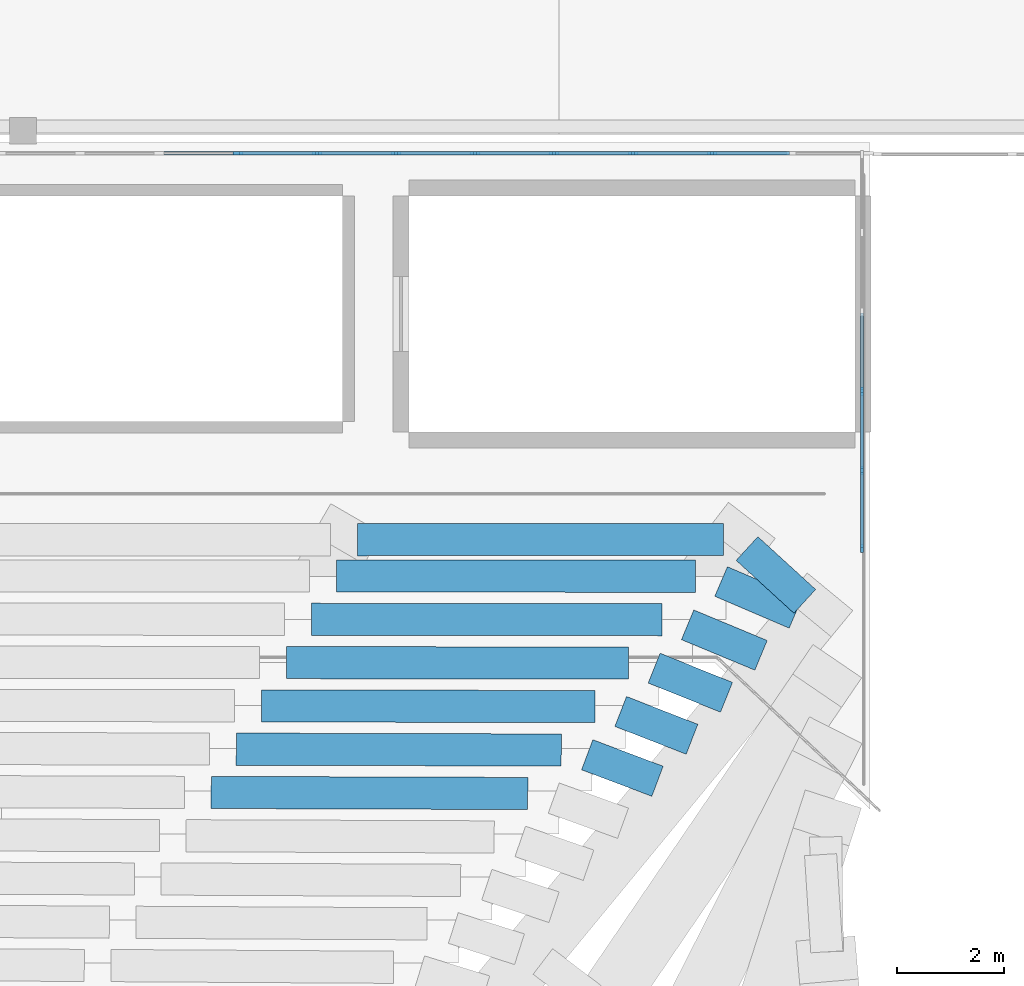
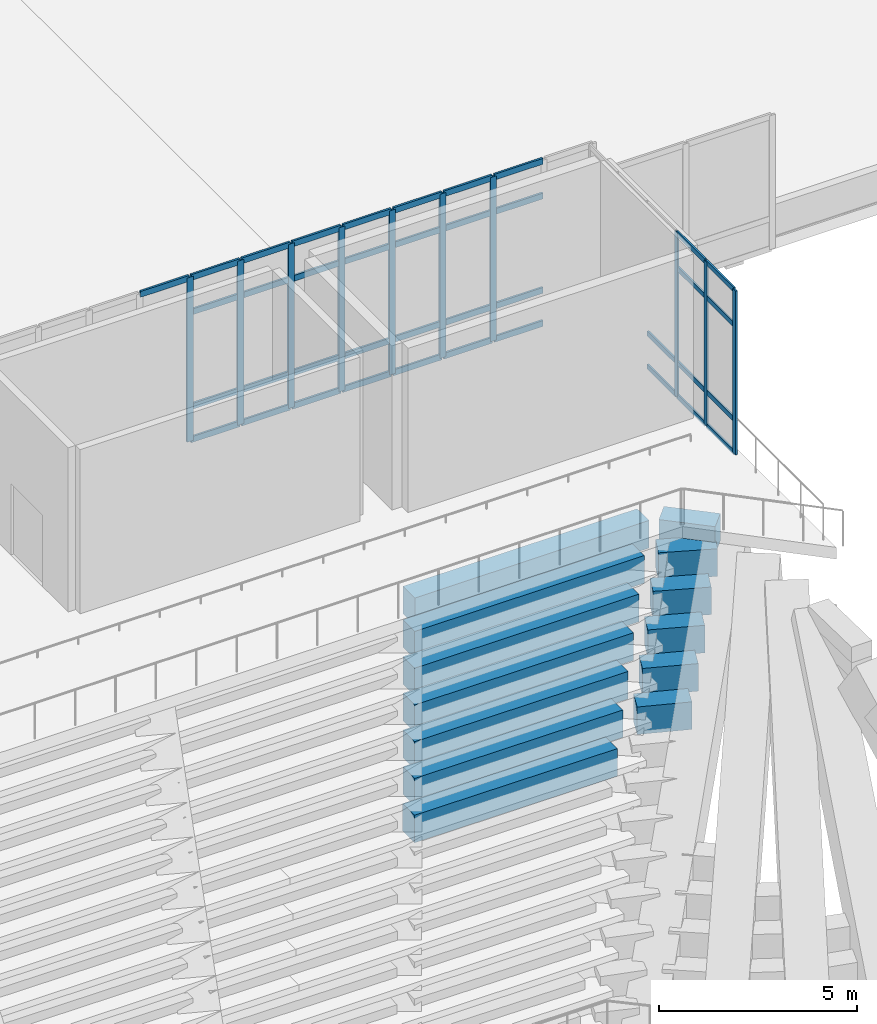
# One storey, part 28 of 55: 49 members, 13 beams, 2 elements without a shape of their own.
"""IFC4 building model written with IfcOpenShell, lengths in metres."""

import ifcopenshell
import ifcopenshell.guid

model = None  # the IFC model being written
_history = None  # IfcOwnerHistory: only IFC2X3 demands one
_inside = {}  # id of a spatial element -> (the spatial element, [elements in it])
_under = {}  # id of a project, library or spatial element -> (it, [spatial elements below it])
_declared = {}  # id of a project -> (the project, [libraries it declares])
_typed = {}  # id of a type object -> (the type object, [elements of that type])
_made_of = {}  # id of a material, layer set ... -> (it, [elements and type objects made of it])


def new_model(schema):
    """Start an empty IFC model of exactly this schema.

    Asked for "IFC4X3", IfcOpenShell would pick the latest addendum, in which some entities
    have other attributes; the version numbers below select the first issue.
    IFC2X3 requires an IfcOwnerHistory on every rooted entity: one is made here for all.
    """
    global model, _history
    if schema == "IFC4X3":
        model = ifcopenshell.file(schema_version=(4, 3, 0, 0))
    else:
        model = ifcopenshell.file(schema=schema)
    _inside.clear()
    _under.clear()
    _declared.clear()
    _typed.clear()
    _made_of.clear()
    _history = None
    if model.schema == "IFC2X3":
        org = make("IfcOrganization", Name="unknown")
        user = make(
            "IfcPersonAndOrganization",
            ThePerson=make("IfcPerson", FamilyName="unknown"),
            TheOrganization=org,
        )
        app = make(
            "IfcApplication",
            ApplicationDeveloper=org,
            Version="unknown",
            ApplicationFullName="unknown",
            ApplicationIdentifier="unknown",
        )
        _history = make(
            "IfcOwnerHistory",
            OwningUser=user,
            OwningApplication=app,
            ChangeAction="ADDED",
            CreationDate=0,
        )
    return model


def make(cls, **values):
    """One entity of the class cls with the attributes given. An attribute that is None is left unset."""
    return model.create_entity(
        cls, **{name: value for name, value in values.items() if value is not None}
    )


def rooted(cls, **values):
    """An entity with a GlobalId (a new one), such as an element, a storey or a relation."""
    return make(cls, GlobalId=ifcopenshell.guid.new(), OwnerHistory=_history, **values)


def si_unit(unit_type, name, prefix=None):
    """IfcSIUnit, for example si_unit("LENGTHUNIT", "METRE", prefix="MILLI")."""
    return make("IfcSIUnit", UnitType=unit_type, Prefix=prefix, Name=name)


def derived_unit(unit_type, elements):
    """IfcDerivedUnit: a product of units, each with its exponent."""
    return make(
        "IfcDerivedUnit",
        Elements=[
            make("IfcDerivedUnitElement", Unit=unit, Exponent=power)
            for unit, power in elements
        ],
        UnitType=unit_type,
    )


def assignment(units):
    """IfcUnitAssignment: the units of a project."""
    return None if units is None else make("IfcUnitAssignment", Units=units)


def point(xyz):
    """IfcCartesianPoint."""
    return None if xyz is None else make("IfcCartesianPoint", Coordinates=xyz)


def direction(xyz):
    """IfcDirection."""
    return None if xyz is None else make("IfcDirection", DirectionRatios=xyz)


def frame(location, z_axis=None, x_axis=None):
    """IfcAxis2Placement3D, a coordinate frame: its origin and axes. An axis left out is left unset."""
    return make(
        "IfcAxis2Placement3D",
        Location=point(location),
        Axis=direction(z_axis),
        RefDirection=direction(x_axis),
    )


def frame_2d(location, x_axis=None):
    """IfcAxis2Placement2D, a coordinate frame in the plane: its origin and x axis."""
    return make(
        "IfcAxis2Placement2D", Location=point(location), RefDirection=direction(x_axis)
    )


def origin():
    """The frame at (0, 0, 0) with its axes left unset."""
    return frame((0.0, 0.0, 0.0))


def origin_2d():
    """The frame at (0, 0) in the plane with its x axis left unset."""
    return frame_2d((0.0, 0.0))


def place(relative_to, where):
    """IfcLocalPlacement: puts the frame where relative to a parent placement (None: the world)."""
    return make(
        "IfcLocalPlacement", PlacementRelTo=relative_to, RelativePlacement=where
    )


def context(
    kind, dimensions, precision=None, world=None, true_north=None, identifier=None
):
    """IfcGeometricRepresentationContext, for example the 3D "Model" context."""
    return make(
        "IfcGeometricRepresentationContext",
        ContextIdentifier=identifier,
        ContextType=kind,
        CoordinateSpaceDimension=dimensions,
        Precision=precision,
        WorldCoordinateSystem=world,
        TrueNorth=true_north,
    )


def subcontext(parent, identifier, kind, view, scale=None):
    """IfcGeometricRepresentationSubContext, for example "Body" below "Model"."""
    return make(
        "IfcGeometricRepresentationSubContext",
        ContextIdentifier=identifier,
        ContextType=kind,
        ParentContext=parent,
        TargetScale=scale,
        TargetView=view,
    )


def project(units=None, contexts=None):
    """IfcProject with its units and contexts."""
    return rooted(
        "IfcProject",
        Name="project",
        RepresentationContexts=contexts,
        UnitsInContext=assignment(units),
    )


def spatial(cls, under=None, at=None, **own):
    """A site, building, storey or space (cls), placed at a placement, below another one or the project."""
    s = rooted(cls, ObjectPlacement=at, **own)
    if under is not None:
        _under.setdefault(under.id(), (under, []))[1].append(s)
    return s


def profile(cls, at=None, kind="AREA", **sizes):
    """A parametric profile (cls). Its sizes go by their IFC names, for example OverallWidth=200.0."""
    return make(cls, ProfileType=kind, Position=at, **sizes)


def rectangle(**sizes):
    """IfcRectangleProfileDef."""
    return profile("IfcRectangleProfileDef", **sizes)


def extrude(swept, where, along, depth):
    """IfcExtrudedAreaSolid: the profile swept, set in the frame where, extruded along a direction by depth."""
    return make(
        "IfcExtrudedAreaSolid",
        SweptArea=swept,
        Position=where,
        ExtrudedDirection=direction(along),
        Depth=depth,
    )


def shape(context_of_items, identifier, shape_type, items):
    """IfcShapeRepresentation: the items that make up one representation, for example the "Body"."""
    return make(
        "IfcShapeRepresentation",
        ContextOfItems=context_of_items,
        RepresentationIdentifier=identifier,
        RepresentationType=shape_type,
        Items=items,
    )


def material(Name=None, Category=None):
    """IfcMaterial."""
    return make("IfcMaterial", Name=Name, Category=Category)


def layer(
    of_material, thickness, ventilated=None, Name=None, Category=None, Priority=None
):
    """IfcMaterialLayer: one layer of a wall or slab, of a material (None: an air gap)."""
    return make(
        "IfcMaterialLayer",
        Material=of_material,
        LayerThickness=thickness,
        IsVentilated=ventilated,
        Name=Name,
        Category=Category,
        Priority=Priority,
    )


def layer_set(layers, Name=None):
    """IfcMaterialLayerSet."""
    return make("IfcMaterialLayerSet", MaterialLayers=layers, LayerSetName=Name)


def material_profile(
    of_material, cross_section, Name=None, Category=None, Priority=None
):
    """IfcMaterialProfile: a cross section and its material."""
    return make(
        "IfcMaterialProfile",
        Name=Name,
        Material=of_material,
        Profile=cross_section,
        Priority=Priority,
        Category=Category,
    )


def profile_set(profiles, Name=None, composite=None):
    """IfcMaterialProfileSet."""
    return make(
        "IfcMaterialProfileSet",
        Name=Name,
        MaterialProfiles=profiles,
        CompositeProfile=composite,
    )


def made_of(thing, what):
    """Note that an element or type object is made of a material, layer set ...; save() writes the relation."""
    if what is not None:
        _made_of.setdefault(what.id(), (what, []))[1].append(thing)
    return thing


def type_object(cls, material=None, **own):
    """A type object (cls), such as IfcWallType, which elements share."""
    return made_of(rooted(cls, **own), material)


def element(
    cls,
    number,
    at=None,
    inside=None,
    cuts=None,
    type_object=None,
    material=None,
    context=None,
    identifier="Body",
    shape_type=None,
    held_by="IfcProductDefinitionShape",
    body=None,
    shapes=None,
    **own,
):
    """One element of the class cls, such as IfcWall. Its Tag is "e" and its number.

    at: its placement. inside: the storey or other place that contains it. cuts: it is an
    opening in that element (IfcRelVoidsElement). A single representation is given by context,
    identifier, shape_type and body (its items); several are given by shapes. held_by: the class
    of the entity that holds the representations. save() writes the other relations.
    """
    e = rooted(cls, Tag="e%d" % number, ObjectPlacement=at, **own)
    if body is not None:
        shapes = [shape(context, identifier, shape_type, body)]
    if shapes is not None:
        e.Representation = make(held_by, Representations=shapes)
    if inside is not None:
        _inside.setdefault(inside.id(), (inside, []))[1].append(e)
    if cuts is not None:
        rooted(
            "IfcRelVoidsElement", RelatingBuildingElement=cuts, RelatedOpeningElement=e
        )
    if type_object is not None:
        _typed.setdefault(type_object.id(), (type_object, []))[1].append(e)
    return made_of(e, material)


def aggregate(whole, parts):
    """IfcRelAggregates: a whole, such as a stair, and the parts it consists of."""
    return rooted("IfcRelAggregates", RelatingObject=whole, RelatedObjects=parts)


def save(model, path):
    """Write the relations noted so far, then the file.

    IfcRelAggregates (storeys below a building ...), IfcRelContainedInSpatialStructure (elements
    in a storey), IfcRelDefinesByType, IfcRelAssociatesMaterial and IfcRelDeclares: one each for
    every whole, place, type object, material and project.
    """
    for whole, parts in _under.values():
        aggregate(whole, parts)
    for where, things in _inside.values():
        rooted(
            "IfcRelContainedInSpatialStructure",
            RelatedElements=things,
            RelatingStructure=where,
        )
    for kind, things in _typed.values():
        rooted("IfcRelDefinesByType", RelatedObjects=things, RelatingType=kind)
    for what, things in _made_of.values():
        rooted("IfcRelAssociatesMaterial", RelatedObjects=things, RelatingMaterial=what)
    for by, libraries in _declared.values():
        rooted("IfcRelDeclares", RelatingContext=by, RelatedDefinitions=libraries)
    model.write(path)


model = new_model("IFC4")

# Units and contexts
model_context = context("Model", 3, precision=1e-05, world=origin(), true_north=direction((0.0, 1.0)))
body_context = subcontext(model_context, "Body", "Model", "MODEL_VIEW")
ifc_project = project(units=[si_unit("LENGTHUNIT", "METRE"), si_unit("AREAUNIT", "SQUARE_METRE"), si_unit("VOLUMEUNIT", "CUBIC_METRE"), si_unit("PLANEANGLEUNIT", "RADIAN"), si_unit("MASSUNIT", "GRAM", prefix="KILO"), derived_unit("THERMALTRANSMITTANCEUNIT", [(si_unit("MASSUNIT", "GRAM", prefix="KILO"), 1), (si_unit("TIMEUNIT", "SECOND"), -3), (si_unit("THERMODYNAMICTEMPERATUREUNIT", "KELVIN"), -1)])], contexts=[model_context])

# Site, building, storey
site_placement = place(None, origin())
site = spatial("IfcSite", under=ifc_project, at=site_placement, CompositionType="ELEMENT")
building_placement = place(site_placement, origin())
building = spatial("IfcBuilding", under=site, at=building_placement, Name="Valcora Ridge Arena", CompositionType="ELEMENT")
storey_placement = place(building_placement, frame((0.0, 0.0, 21.0)))
storey = spatial("IfcBuildingStorey", under=building, at=storey_placement, Name="L04", CompositionType="ELEMENT", Elevation=21.0)

# Beams
ifc_material_1 = material(Name="Concrete C40/50", Category="concrete")
ifc_material_profile_1 = material_profile(ifc_material_1, rectangle(XDim=0.60009765625, YDim=0.85009765625, at=origin_2d()), Name="RC 600x850")
ifc_profile_set_1 = profile_set([ifc_material_profile_1], Name="Concrete C40/50")
beam_type = type_object("IfcBeamType", Name="TY-BEAM-B-RC600-X", PredefinedType="BEAM", material=ifc_profile_set_1)
beam_1_placement = place(storey_placement, frame((83.41357421875, 96.057373046875, -4.385009765625), z_axis=(-0.999994797988, 0.003225522878, 0.0), x_axis=(-0.003225522878, -0.999994797988, 0.0)))
element("IfcBeam", 1, at=beam_1_placement, inside=storey, type_object=beam_type, Name="B-RC600-X BEM-RU3-B-RC600-X-0356", PredefinedType="BEAM", context=body_context, shape_type="SweptSolid", body=[
    extrude(rectangle(XDim=0.60009765625, YDim=0.85009765625, at=origin_2d()), origin(), (0.0, 0.0, 1.0), 5.90380859375),
])
beam_2_placement = place(storey_placement, frame((85.834228515625, 96.285400390625, -3.905029296875), z_axis=(-0.935877273716, 0.352326167837, 0.0), x_axis=(-0.352326167837, -0.935877273716, 0.0)))
element("IfcBeam", 2, at=beam_2_placement, inside=storey, type_object=beam_type, Name="B-RC600-X BEM-RU3-B-RC600-X-0385", PredefinedType="BEAM", context=body_context, shape_type="SweptSolid", body=[
    extrude(rectangle(XDim=0.60009765625, YDim=0.85009765625, at=origin_2d()), origin(), (0.0, 0.0, 1.0), 1.401123046875),
])
beam_3_placement = place(storey_placement, frame((84.038818359375, 96.867919921875, -3.905029296875), z_axis=(-0.999996573576, 0.002617792077, 0.0), x_axis=(-0.002617792077, -0.999996573576, 0.0)))
element("IfcBeam", 3, at=beam_3_placement, inside=storey, type_object=beam_type, Name="B-RC600-X BEM-RU3-B-RC600-X-0386", PredefinedType="BEAM", context=body_context, shape_type="SweptSolid", body=[
    extrude(rectangle(XDim=0.60009765625, YDim=0.85009765625, at=origin_2d()), origin(), (0.0, 0.0, 1.0), 6.06201171875),
])
beam_4_placement = place(storey_placement, frame((86.47802734375, 97.068359375, -3.425048828125), z_axis=(-0.931763874775, 0.363064844986, 0.0), x_axis=(-0.363064844986, -0.931763874775, 0.0)))
element("IfcBeam", 4, at=beam_4_placement, inside=storey, type_object=beam_type, Name="B-RC600-X BEM-RU3-B-RC600-X-0417", PredefinedType="BEAM", context=body_context, shape_type="SweptSolid", body=[
    extrude(rectangle(XDim=0.60009765625, YDim=0.85009765625, at=origin_2d()), origin(), (0.0, 0.0, 1.0), 1.42822265625),
])
beam_5_placement = place(storey_placement, frame((84.664306640625, 97.67822265625, -3.425048828125), z_axis=(-0.999997836676, 0.002080058294, 0.0), x_axis=(-0.002080058294, -0.999997836676, 0.0)))
element("IfcBeam", 5, at=beam_5_placement, inside=storey, type_object=beam_type, Name="B-RC600-X BEM-RU3-B-RC600-X-0418", PredefinedType="BEAM", context=body_context, shape_type="SweptSolid", body=[
    extrude(rectangle(XDim=0.60009765625, YDim=0.85009765625, at=origin_2d()), origin(), (0.0, 0.0, 1.0), 6.220703125),
])
beam_6_placement = place(storey_placement, frame((87.12158203125, 97.851318359375, -2.945068359375), z_axis=(-0.927606532512, 0.373558724757, 0.0), x_axis=(-0.373558724757, -0.927606532512, 0.0)))
element("IfcBeam", 6, at=beam_6_placement, inside=storey, type_object=beam_type, Name="B-RC600-X BEM-RU3-B-RC600-X-0449", PredefinedType="BEAM", context=body_context, shape_type="SweptSolid", body=[
    extrude(rectangle(XDim=0.60009765625, YDim=0.85009765625, at=origin_2d()), origin(), (0.0, 0.0, 1.0), 1.45556640625),
])
beam_7_placement = place(storey_placement, frame((85.28955078125, 98.48876953125, -2.945068359375), z_axis=(-0.999998885998, 0.001492649899, 0.0), x_axis=(-0.001492649899, -0.999998885998, 0.0)))
element("IfcBeam", 7, at=beam_7_placement, inside=storey, type_object=beam_type, Name="B-RC600-X BEM-RU3-B-RC600-X-0450", PredefinedType="BEAM", context=body_context, shape_type="SweptSolid", body=[
    extrude(rectangle(XDim=0.60009765625, YDim=0.85009765625, at=origin_2d()), origin(), (0.0, 0.0, 1.0), 6.37890625),
])
beam_8_placement = place(storey_placement, frame((87.76513671875, 98.634033203125, -2.465087890625), z_axis=(-0.923432099085, 0.383761851126, 0.0), x_axis=(-0.383761851126, -0.923432099085, 0.0)))
element("IfcBeam", 8, at=beam_8_placement, inside=storey, type_object=beam_type, Name="B-RC600-X BEM-RU3-B-RC600-X-0481", PredefinedType="BEAM", context=body_context, shape_type="SweptSolid", body=[
    extrude(rectangle(XDim=0.60009765625, YDim=0.85009765625, at=origin_2d()), origin(), (0.0, 0.0, 1.0), 1.48291015625),
])
beam_9_placement = place(storey_placement, frame((85.914794921875, 99.29931640625, -2.465087890625), z_axis=(-0.999999528562, 0.000971018365, 0.0), x_axis=(-0.000971018365, -0.999999528562, 0.0)))
element("IfcBeam", 9, at=beam_9_placement, inside=storey, type_object=beam_type, Name="B-RC600-X BEM-RU3-B-RC600-X-0482", PredefinedType="BEAM", context=body_context, shape_type="SweptSolid", body=[
    extrude(rectangle(XDim=0.60009765625, YDim=0.85009765625, at=origin_2d()), origin(), (0.0, 0.0, 1.0), 6.537109375),
])
beam_10_placement = place(storey_placement, frame((88.40869140625, 99.416748046875, -1.985107421875), z_axis=(-0.919303790342, 0.393548651456, 0.0), x_axis=(-0.393548651456, -0.919303790342, 0.0)))
element("IfcBeam", 10, at=beam_10_placement, inside=storey, type_object=beam_type, Name="B-RC600-X BEM-RU3-B-RC600-X-0513", PredefinedType="BEAM", context=body_context, shape_type="SweptSolid", body=[
    extrude(rectangle(XDim=0.60009765625, YDim=0.85009765625, at=origin_2d()), origin(), (0.0, 0.0, 1.0), 1.510498046875),
])
beam_11_placement = place(storey_placement, frame((86.540283203125, 100.109619140625, -1.985107421875), z_axis=(-0.999999887653, 0.000474020001, 0.0), x_axis=(-0.000474020001, -0.999999887653, 0.0)))
element("IfcBeam", 11, at=beam_11_placement, inside=storey, type_object=beam_type, Name="B-RC600-X BEM-RU3-B-RC600-X-0514", PredefinedType="BEAM", context=body_context, shape_type="SweptSolid", body=[
    extrude(rectangle(XDim=0.60009765625, YDim=0.85009765625, at=origin_2d()), origin(), (0.0, 0.0, 1.0), 6.695556640625),
])
beam_12_placement = place(storey_placement, frame((88.5810546875, 99.64111328125, -1.5048828125), z_axis=(-0.738083531523, 0.674709345196, 0.0), x_axis=(-0.674709345196, -0.738083531523, 0.0)))
element("IfcBeam", 12, at=beam_12_placement, inside=storey, type_object=beam_type, Name="B-RC600-X BEM-RU3-B-RC600-X-0545", PredefinedType="BEAM", context=body_context, shape_type="SweptSolid", body=[
    extrude(rectangle(XDim=0.60009765625, YDim=0.85009765625, at=origin_2d()), origin(), (0.0, 0.0, 1.0), 1.4599609375),
])
beam_13_placement = place(storey_placement, frame((87.06884765625, 100.794677734375, -1.5048828125), z_axis=(-0.999999892081, -0.000464584326, 0.0), x_axis=(0.000464584326, -0.999999892081, 0.0)))
element("IfcBeam", 13, at=beam_13_placement, inside=storey, type_object=beam_type, Name="B-RC600-X BEM-RU3-B-RC600-X-0546", PredefinedType="BEAM", context=body_context, shape_type="SweptSolid", body=[
    extrude(rectangle(XDim=0.60009765625, YDim=0.85009765625, at=origin_2d()), origin(), (0.0, 0.0, 1.0), 6.83154296875),
])

# Curtain wall, members
ifc_material_2 = material(Name="Anodised dark bronze architectural aluminium 6063-T6", Category="aluminium")
ifc_layer_1 = layer(ifc_material_2, 0.14990234375, Name="Anodised dark bronze architectural aluminium 6063-T6")
ifc_layer_set_1 = layer_set([ifc_layer_1], Name="Anodised dark bronze architectural aluminium 6063-T6")
curtain_wall_type_1 = type_object("IfcCurtainWallType", Name="TY-CURTAINWALL-CW-V1-EAST-074X51", PredefinedType="NOTDEFINED", material=ifc_layer_set_1)
curtain_wall_1_placement = place(storey_placement, origin())
curtain_wall_1 = element("IfcCurtainWall", 14, at=curtain_wall_1_placement, inside=storey, type_object=curtain_wall_type_1, Name="CW-V1-EAST-074X51 CW-0162", PredefinedType="NOTDEFINED")
ifc_material_profile_2 = material_profile(ifc_material_2, rectangle(XDim=0.050048828125, YDim=0.14990234375, at=origin_2d()), Name="ALU MULLION 50x150")
ifc_profile_set_2 = profile_set([ifc_material_profile_2], Name="Anodised dark bronze architectural aluminium 6063-T6")
member_type_1 = type_object("IfcMemberType", Name="TY-MEM-CWM-50x150", PredefinedType="MULLION", material=ifc_profile_set_2)
member_1_placement = place(storey_placement, frame((89.64990234375, 100.625, 0.0), z_axis=(0.0, 0.0, 1.0), x_axis=(-1.0, 0.0, 0.0)))
member_1 = element("IfcMember", 15, at=member_1_placement, type_object=member_type_1, Name="CW-0162/CWM-50x150/M00", PredefinedType="MULLION", context=body_context, shape_type="SweptSolid", body=[
    extrude(rectangle(XDim=0.050048828125, YDim=0.14990234375, at=origin_2d()), origin(), (0.0, 0.0, 1.0), 5.06005859375),
])
member_2_placement = place(storey_placement, frame((89.64990234375, 102.080078125, 0.0), z_axis=(0.0, 0.0, 1.0), x_axis=(-1.0, 0.0, 0.0)))
member_2 = element("IfcMember", 16, at=member_2_placement, type_object=member_type_1, Name="CW-0162/CWM-50x150/M01", PredefinedType="MULLION", context=body_context, shape_type="SweptSolid", body=[
    extrude(rectangle(XDim=0.050048828125, YDim=0.14990234375, at=origin_2d()), origin(), (0.0, 0.0, 1.0), 5.06005859375),
])
member_3_placement = place(storey_placement, frame((89.64990234375, 103.56005859375, 0.0), z_axis=(0.0, 0.0, 1.0), x_axis=(-1.0, 0.0, 0.0)))
member_3 = element("IfcMember", 17, at=member_3_placement, type_object=member_type_1, Name="CW-0162/CWM-50x150/M02", PredefinedType="MULLION", context=body_context, shape_type="SweptSolid", body=[
    extrude(rectangle(XDim=0.050048828125, YDim=0.14990234375, at=origin_2d()), origin(), (0.0, 0.0, 1.0), 5.06005859375),
])

ifc_layer_2 = layer(ifc_material_2, 0.179931640625, Name="Anodised dark bronze architectural aluminium 6063-T6")
ifc_layer_set_2 = layer_set([ifc_layer_2], Name="Anodised dark bronze architectural aluminium 6063-T6")
curtain_wall_type_2 = type_object("IfcCurtainWallType", Name="TY-CURTAINWALL-CW-V1-GOTH-192X51", PredefinedType="NOTDEFINED", material=ifc_layer_set_2)
curtain_wall_2_placement = place(storey_placement, origin())
curtain_wall_2 = element("IfcCurtainWall", 18, at=curtain_wall_2_placement, inside=storey, type_object=curtain_wall_type_2, Name="CW-V1-GOTH-192X51 CW-0160", PredefinedType="NOTDEFINED")
ifc_material_profile_3 = material_profile(ifc_material_2, rectangle(XDim=0.06005859375, YDim=0.179931640625, at=origin_2d()), Name="ALU MULLION 60x180")
ifc_profile_set_3 = profile_set([ifc_material_profile_3], Name="Anodised dark bronze architectural aluminium 6063-T6")
member_type_2 = type_object("IfcMemberType", Name="TY-MEM-CWM-60x180", PredefinedType="MULLION", material=ifc_profile_set_3)
member_4_placement = place(storey_placement, frame((78.00927734375, 108.0, 0.0), z_axis=(0.0, 0.0, 1.0), x_axis=(0.0, 1.0, 0.0)))
member_4 = element("IfcMember", 19, at=member_4_placement, type_object=member_type_2, Name="CW-0160/CWM-60x180/M05", PredefinedType="MULLION", context=body_context, shape_type="SweptSolid", body=[
    extrude(rectangle(XDim=0.06005859375, YDim=0.179931640625, at=origin_2d()), origin(), (0.0, 0.0, 1.0), 5.06005859375),
])
member_5_placement = place(storey_placement, frame((79.483154296875, 108.0, 0.0), z_axis=(0.0, 0.0, 1.0), x_axis=(0.0, 1.0, 0.0)))
member_5 = element("IfcMember", 20, at=member_5_placement, type_object=member_type_2, Name="CW-0160/CWM-60x180/M06", PredefinedType="MULLION", context=body_context, shape_type="SweptSolid", body=[
    extrude(rectangle(XDim=0.06005859375, YDim=0.179931640625, at=origin_2d()), origin(), (0.0, 0.0, 1.0), 5.06005859375),
])
member_6_placement = place(storey_placement, frame((80.956787109375, 108.0, 0.0), z_axis=(0.0, 0.0, 1.0), x_axis=(0.0, 1.0, 0.0)))
member_6 = element("IfcMember", 21, at=member_6_placement, type_object=member_type_2, Name="CW-0160/CWM-60x180/M07", PredefinedType="MULLION", context=body_context, shape_type="SweptSolid", body=[
    extrude(rectangle(XDim=0.06005859375, YDim=0.179931640625, at=origin_2d()), origin(), (0.0, 0.0, 1.0), 5.06005859375),
])
member_7_placement = place(storey_placement, frame((82.430908203125, 108.0, 0.0), z_axis=(0.0, 0.0, 1.0), x_axis=(0.0, 1.0, 0.0)))
member_7 = element("IfcMember", 22, at=member_7_placement, type_object=member_type_2, Name="CW-0160/CWM-60x180/M08", PredefinedType="MULLION", context=body_context, shape_type="SweptSolid", body=[
    extrude(rectangle(XDim=0.06005859375, YDim=0.179931640625, at=origin_2d()), origin(), (0.0, 0.0, 1.0), 5.06005859375),
])
member_8_placement = place(storey_placement, frame((83.904541015625, 108.0, 0.0), z_axis=(0.0, 0.0, 1.0), x_axis=(0.0, 1.0, 0.0)))
member_8 = element("IfcMember", 23, at=member_8_placement, type_object=member_type_2, Name="CW-0160/CWM-60x180/M09", PredefinedType="MULLION", context=body_context, shape_type="SweptSolid", body=[
    extrude(rectangle(XDim=0.06005859375, YDim=0.179931640625, at=origin_2d()), origin(), (0.0, 0.0, 1.0), 5.06005859375),
])
member_9_placement = place(storey_placement, frame((85.37841796875, 108.0, 0.0), z_axis=(0.0, 0.0, 1.0), x_axis=(0.0, 1.0, 0.0)))
member_9 = element("IfcMember", 24, at=member_9_placement, type_object=member_type_2, Name="CW-0160/CWM-60x180/M10", PredefinedType="MULLION", context=body_context, shape_type="SweptSolid", body=[
    extrude(rectangle(XDim=0.06005859375, YDim=0.179931640625, at=origin_2d()), origin(), (0.0, 0.0, 1.0), 5.06005859375),
])
member_10_placement = place(storey_placement, frame((86.852294921875, 108.0, 0.0), z_axis=(0.0, 0.0, 1.0), x_axis=(0.0, 1.0, 0.0)))
member_10 = element("IfcMember", 25, at=member_10_placement, type_object=member_type_2, Name="CW-0160/CWM-60x180/M11", PredefinedType="MULLION", context=body_context, shape_type="SweptSolid", body=[
    extrude(rectangle(XDim=0.06005859375, YDim=0.179931640625, at=origin_2d()), origin(), (0.0, 0.0, 1.0), 5.06005859375),
])

# Member
ifc_material_profile_4 = material_profile(ifc_material_2, rectangle(XDim=0.050048828125, YDim=0.14990234375, at=origin_2d()), Name="ALU TRANSOM 50x150")
ifc_profile_set_4 = profile_set([ifc_material_profile_4], Name="Anodised dark bronze architectural aluminium 6063-T6")
member_type_3 = type_object("IfcMemberType", Name="TY-MEM-CWT-50x150", PredefinedType="USERDEFINED", material=ifc_profile_set_4)
member_11_placement = place(storey_placement, frame((89.64990234375, 100.64990234375, 0.02490234375), z_axis=(0.0, 1.0, 0.0), x_axis=(-1.0, 0.0, 0.0)))
member_11 = element("IfcMember", 26, at=member_11_placement, type_object=member_type_3, Name="CW-0162/CWT-50x150/T00-00", ObjectType="TRANSOM", PredefinedType="USERDEFINED", context=body_context, shape_type="SweptSolid", body=[
    extrude(rectangle(XDim=0.050048828125, YDim=0.14990234375, at=origin_2d()), origin(), (0.0, 0.0, 1.0), 1.405029296875),
])

member_12_placement = place(storey_placement, frame((89.64990234375, 100.64990234375, 1.050048828125), z_axis=(0.0, 1.0, 0.0), x_axis=(-1.0, 0.0, 0.0)))
member_12 = element("IfcMember", 27, at=member_12_placement, type_object=member_type_3, Name="CW-0162/CWT-50x150/T00-01", ObjectType="TRANSOM", PredefinedType="USERDEFINED", context=body_context, shape_type="SweptSolid", body=[
    extrude(rectangle(XDim=0.050048828125, YDim=0.14990234375, at=origin_2d()), origin(), (0.0, 0.0, 1.0), 1.405029296875),
])

member_13_placement = place(storey_placement, frame((89.64990234375, 100.64990234375, 3.9599609375), z_axis=(0.0, 1.0, 0.0), x_axis=(-1.0, 0.0, 0.0)))
member_13 = element("IfcMember", 28, at=member_13_placement, type_object=member_type_3, Name="CW-0162/CWT-50x150/T00-02", ObjectType="TRANSOM", PredefinedType="USERDEFINED", context=body_context, shape_type="SweptSolid", body=[
    extrude(rectangle(XDim=0.050048828125, YDim=0.14990234375, at=origin_2d()), origin(), (0.0, 0.0, 1.0), 1.405029296875),
])

member_14_placement = place(storey_placement, frame((89.64990234375, 100.64990234375, 5.034912109375), z_axis=(0.0, 1.0, 0.0), x_axis=(-1.0, 0.0, 0.0)))
member_14 = element("IfcMember", 29, at=member_14_placement, type_object=member_type_3, Name="CW-0162/CWT-50x150/T00-03", ObjectType="TRANSOM", PredefinedType="USERDEFINED", context=body_context, shape_type="SweptSolid", body=[
    extrude(rectangle(XDim=0.050048828125, YDim=0.14990234375, at=origin_2d()), origin(), (0.0, 0.0, 1.0), 1.405029296875),
])

member_15_placement = place(storey_placement, frame((89.64990234375, 102.10498046875, 0.02490234375), z_axis=(0.0, 1.0, 0.0), x_axis=(-1.0, 0.0, 0.0)))
member_15 = element("IfcMember", 30, at=member_15_placement, type_object=member_type_3, Name="CW-0162/CWT-50x150/T01-00", ObjectType="TRANSOM", PredefinedType="USERDEFINED", context=body_context, shape_type="SweptSolid", body=[
    extrude(rectangle(XDim=0.050048828125, YDim=0.14990234375, at=origin_2d()), origin(), (0.0, 0.0, 1.0), 1.429931640625),
])

member_16_placement = place(storey_placement, frame((89.64990234375, 102.10498046875, 1.050048828125), z_axis=(0.0, 1.0, 0.0), x_axis=(-1.0, 0.0, 0.0)))
member_16 = element("IfcMember", 31, at=member_16_placement, type_object=member_type_3, Name="CW-0162/CWT-50x150/T01-01", ObjectType="TRANSOM", PredefinedType="USERDEFINED", context=body_context, shape_type="SweptSolid", body=[
    extrude(rectangle(XDim=0.050048828125, YDim=0.14990234375, at=origin_2d()), origin(), (0.0, 0.0, 1.0), 1.429931640625),
])

member_17_placement = place(storey_placement, frame((89.64990234375, 102.10498046875, 3.9599609375), z_axis=(0.0, 1.0, 0.0), x_axis=(-1.0, 0.0, 0.0)))
member_17 = element("IfcMember", 32, at=member_17_placement, type_object=member_type_3, Name="CW-0162/CWT-50x150/T01-02", ObjectType="TRANSOM", PredefinedType="USERDEFINED", context=body_context, shape_type="SweptSolid", body=[
    extrude(rectangle(XDim=0.050048828125, YDim=0.14990234375, at=origin_2d()), origin(), (0.0, 0.0, 1.0), 1.429931640625),
])

member_18_placement = place(storey_placement, frame((89.64990234375, 102.10498046875, 5.034912109375), z_axis=(0.0, 1.0, 0.0), x_axis=(-1.0, 0.0, 0.0)))
member_18 = element("IfcMember", 33, at=member_18_placement, type_object=member_type_3, Name="CW-0162/CWT-50x150/T01-03", ObjectType="TRANSOM", PredefinedType="USERDEFINED", context=body_context, shape_type="SweptSolid", body=[
    extrude(rectangle(XDim=0.050048828125, YDim=0.14990234375, at=origin_2d()), origin(), (0.0, 0.0, 1.0), 1.429931640625),
])

member_19_placement = place(storey_placement, frame((89.64990234375, 103.5849609375, 0.02490234375), z_axis=(0.0, 1.0, 0.0), x_axis=(-1.0, 0.0, 0.0)))
member_19 = element("IfcMember", 34, at=member_19_placement, type_object=member_type_3, Name="CW-0162/CWT-50x150/T02-00", ObjectType="TRANSOM", PredefinedType="USERDEFINED", context=body_context, shape_type="SweptSolid", body=[
    extrude(rectangle(XDim=0.050048828125, YDim=0.14990234375, at=origin_2d()), origin(), (0.0, 0.0, 1.0), 1.429931640625),
])

member_20_placement = place(storey_placement, frame((89.64990234375, 103.5849609375, 1.050048828125), z_axis=(0.0, 1.0, 0.0), x_axis=(-1.0, 0.0, 0.0)))
member_20 = element("IfcMember", 35, at=member_20_placement, type_object=member_type_3, Name="CW-0162/CWT-50x150/T02-01", ObjectType="TRANSOM", PredefinedType="USERDEFINED", context=body_context, shape_type="SweptSolid", body=[
    extrude(rectangle(XDim=0.050048828125, YDim=0.14990234375, at=origin_2d()), origin(), (0.0, 0.0, 1.0), 1.429931640625),
])

aggregate(curtain_wall_1, [member_1, member_2, member_3, member_11, member_12, member_13, member_14, member_15, member_16, member_17, member_18, member_19, member_20])

ifc_material_profile_5 = material_profile(ifc_material_2, rectangle(XDim=0.06005859375, YDim=0.179931640625, at=origin_2d()), Name="ALU TRANSOM 60x180")
ifc_profile_set_5 = profile_set([ifc_material_profile_5], Name="Anodised dark bronze architectural aluminium 6063-T6")
member_type_4 = type_object("IfcMemberType", Name="TY-MEM-CWT-60x180", PredefinedType="USERDEFINED", material=ifc_profile_set_5)
member_21_placement = place(storey_placement, frame((76.56494140625, 108.0, 5.030029296875), z_axis=(1.0, 0.0, 0.0), x_axis=(0.0, 1.0, 0.0)))
member_21 = element("IfcMember", 36, at=member_21_placement, type_object=member_type_4, Name="CW-0160/CWT-60x180/T04-03", ObjectType="TRANSOM", PredefinedType="USERDEFINED", context=body_context, shape_type="SweptSolid", body=[
    extrude(rectangle(XDim=0.06005859375, YDim=0.179931640625, at=origin_2d()), origin(), (0.0, 0.0, 1.0), 1.4140625),
])

member_22_placement = place(storey_placement, frame((78.0390625, 108.0, 0.030029296875), z_axis=(1.0, 0.0, 0.0), x_axis=(0.0, 1.0, 0.0)))
member_22 = element("IfcMember", 37, at=member_22_placement, type_object=member_type_4, Name="CW-0160/CWT-60x180/T05-00", ObjectType="TRANSOM", PredefinedType="USERDEFINED", context=body_context, shape_type="SweptSolid", body=[
    extrude(rectangle(XDim=0.06005859375, YDim=0.179931640625, at=origin_2d()), origin(), (0.0, 0.0, 1.0), 1.413818359375),
])

member_23_placement = place(storey_placement, frame((78.0390625, 108.0, 1.050048828125), z_axis=(1.0, 0.0, 0.0), x_axis=(0.0, 1.0, 0.0)))
member_23 = element("IfcMember", 38, at=member_23_placement, type_object=member_type_4, Name="CW-0160/CWT-60x180/T05-01", ObjectType="TRANSOM", PredefinedType="USERDEFINED", context=body_context, shape_type="SweptSolid", body=[
    extrude(rectangle(XDim=0.06005859375, YDim=0.179931640625, at=origin_2d()), origin(), (0.0, 0.0, 1.0), 1.413818359375),
])

member_24_placement = place(storey_placement, frame((78.0390625, 108.0, 3.9599609375), z_axis=(1.0, 0.0, 0.0), x_axis=(0.0, 1.0, 0.0)))
member_24 = element("IfcMember", 39, at=member_24_placement, type_object=member_type_4, Name="CW-0160/CWT-60x180/T05-02", ObjectType="TRANSOM", PredefinedType="USERDEFINED", context=body_context, shape_type="SweptSolid", body=[
    extrude(rectangle(XDim=0.06005859375, YDim=0.179931640625, at=origin_2d()), origin(), (0.0, 0.0, 1.0), 1.413818359375),
])

member_25_placement = place(storey_placement, frame((78.0390625, 108.0, 5.030029296875), z_axis=(1.0, 0.0, 0.0), x_axis=(0.0, 1.0, 0.0)))
member_25 = element("IfcMember", 40, at=member_25_placement, type_object=member_type_4, Name="CW-0160/CWT-60x180/T05-03", ObjectType="TRANSOM", PredefinedType="USERDEFINED", context=body_context, shape_type="SweptSolid", body=[
    extrude(rectangle(XDim=0.06005859375, YDim=0.179931640625, at=origin_2d()), origin(), (0.0, 0.0, 1.0), 1.413818359375),
])

member_26_placement = place(storey_placement, frame((79.512939453125, 108.0, 0.030029296875), z_axis=(1.0, 0.0, 0.0), x_axis=(0.0, 1.0, 0.0)))
member_26 = element("IfcMember", 41, at=member_26_placement, type_object=member_type_4, Name="CW-0160/CWT-60x180/T06-00", ObjectType="TRANSOM", PredefinedType="USERDEFINED", context=body_context, shape_type="SweptSolid", body=[
    extrude(rectangle(XDim=0.06005859375, YDim=0.179931640625, at=origin_2d()), origin(), (0.0, 0.0, 1.0), 1.4140625),
])

member_27_placement = place(storey_placement, frame((79.512939453125, 108.0, 1.050048828125), z_axis=(1.0, 0.0, 0.0), x_axis=(0.0, 1.0, 0.0)))
member_27 = element("IfcMember", 42, at=member_27_placement, type_object=member_type_4, Name="CW-0160/CWT-60x180/T06-01", ObjectType="TRANSOM", PredefinedType="USERDEFINED", context=body_context, shape_type="SweptSolid", body=[
    extrude(rectangle(XDim=0.06005859375, YDim=0.179931640625, at=origin_2d()), origin(), (0.0, 0.0, 1.0), 1.4140625),
])

member_28_placement = place(storey_placement, frame((79.512939453125, 108.0, 3.9599609375), z_axis=(1.0, 0.0, 0.0), x_axis=(0.0, 1.0, 0.0)))
member_28 = element("IfcMember", 43, at=member_28_placement, type_object=member_type_4, Name="CW-0160/CWT-60x180/T06-02", ObjectType="TRANSOM", PredefinedType="USERDEFINED", context=body_context, shape_type="SweptSolid", body=[
    extrude(rectangle(XDim=0.06005859375, YDim=0.179931640625, at=origin_2d()), origin(), (0.0, 0.0, 1.0), 1.4140625),
])

member_29_placement = place(storey_placement, frame((79.512939453125, 108.0, 5.030029296875), z_axis=(1.0, 0.0, 0.0), x_axis=(0.0, 1.0, 0.0)))
member_29 = element("IfcMember", 44, at=member_29_placement, type_object=member_type_4, Name="CW-0160/CWT-60x180/T06-03", ObjectType="TRANSOM", PredefinedType="USERDEFINED", context=body_context, shape_type="SweptSolid", body=[
    extrude(rectangle(XDim=0.06005859375, YDim=0.179931640625, at=origin_2d()), origin(), (0.0, 0.0, 1.0), 1.4140625),
])

member_30_placement = place(storey_placement, frame((80.987060546875, 108.0, 0.030029296875), z_axis=(1.0, 0.0, 0.0), x_axis=(0.0, 1.0, 0.0)))
member_30 = element("IfcMember", 45, at=member_30_placement, type_object=member_type_4, Name="CW-0160/CWT-60x180/T07-00", ObjectType="TRANSOM", PredefinedType="USERDEFINED", context=body_context, shape_type="SweptSolid", body=[
    extrude(rectangle(XDim=0.06005859375, YDim=0.179931640625, at=origin_2d()), origin(), (0.0, 0.0, 1.0), 1.413818359375),
])

member_31_placement = place(storey_placement, frame((80.987060546875, 108.0, 1.050048828125), z_axis=(1.0, 0.0, 0.0), x_axis=(0.0, 1.0, 0.0)))
member_31 = element("IfcMember", 46, at=member_31_placement, type_object=member_type_4, Name="CW-0160/CWT-60x180/T07-01", ObjectType="TRANSOM", PredefinedType="USERDEFINED", context=body_context, shape_type="SweptSolid", body=[
    extrude(rectangle(XDim=0.06005859375, YDim=0.179931640625, at=origin_2d()), origin(), (0.0, 0.0, 1.0), 1.413818359375),
])

member_32_placement = place(storey_placement, frame((80.987060546875, 108.0, 3.9599609375), z_axis=(1.0, 0.0, 0.0), x_axis=(0.0, 1.0, 0.0)))
member_32 = element("IfcMember", 47, at=member_32_placement, type_object=member_type_4, Name="CW-0160/CWT-60x180/T07-02", ObjectType="TRANSOM", PredefinedType="USERDEFINED", context=body_context, shape_type="SweptSolid", body=[
    extrude(rectangle(XDim=0.06005859375, YDim=0.179931640625, at=origin_2d()), origin(), (0.0, 0.0, 1.0), 1.413818359375),
])

member_33_placement = place(storey_placement, frame((80.987060546875, 108.0, 5.030029296875), z_axis=(1.0, 0.0, 0.0), x_axis=(0.0, 1.0, 0.0)))
member_33 = element("IfcMember", 48, at=member_33_placement, type_object=member_type_4, Name="CW-0160/CWT-60x180/T07-03", ObjectType="TRANSOM", PredefinedType="USERDEFINED", context=body_context, shape_type="SweptSolid", body=[
    extrude(rectangle(XDim=0.06005859375, YDim=0.179931640625, at=origin_2d()), origin(), (0.0, 0.0, 1.0), 1.413818359375),
])

member_34_placement = place(storey_placement, frame((82.4609375, 108.0, 0.030029296875), z_axis=(1.0, 0.0, 0.0), x_axis=(0.0, 1.0, 0.0)))
member_34 = element("IfcMember", 49, at=member_34_placement, type_object=member_type_4, Name="CW-0160/CWT-60x180/T08-00", ObjectType="TRANSOM", PredefinedType="USERDEFINED", context=body_context, shape_type="SweptSolid", body=[
    extrude(rectangle(XDim=0.06005859375, YDim=0.179931640625, at=origin_2d()), origin(), (0.0, 0.0, 1.0), 1.4140625),
])

member_35_placement = place(storey_placement, frame((82.4609375, 108.0, 1.050048828125), z_axis=(1.0, 0.0, 0.0), x_axis=(0.0, 1.0, 0.0)))
member_35 = element("IfcMember", 50, at=member_35_placement, type_object=member_type_4, Name="CW-0160/CWT-60x180/T08-01", ObjectType="TRANSOM", PredefinedType="USERDEFINED", context=body_context, shape_type="SweptSolid", body=[
    extrude(rectangle(XDim=0.06005859375, YDim=0.179931640625, at=origin_2d()), origin(), (0.0, 0.0, 1.0), 1.4140625),
])

member_36_placement = place(storey_placement, frame((82.4609375, 108.0, 3.9599609375), z_axis=(1.0, 0.0, 0.0), x_axis=(0.0, 1.0, 0.0)))
member_36 = element("IfcMember", 51, at=member_36_placement, type_object=member_type_4, Name="CW-0160/CWT-60x180/T08-02", ObjectType="TRANSOM", PredefinedType="USERDEFINED", context=body_context, shape_type="SweptSolid", body=[
    extrude(rectangle(XDim=0.06005859375, YDim=0.179931640625, at=origin_2d()), origin(), (0.0, 0.0, 1.0), 1.4140625),
])

member_37_placement = place(storey_placement, frame((82.4609375, 108.0, 5.030029296875), z_axis=(1.0, 0.0, 0.0), x_axis=(0.0, 1.0, 0.0)))
member_37 = element("IfcMember", 52, at=member_37_placement, type_object=member_type_4, Name="CW-0160/CWT-60x180/T08-03", ObjectType="TRANSOM", PredefinedType="USERDEFINED", context=body_context, shape_type="SweptSolid", body=[
    extrude(rectangle(XDim=0.06005859375, YDim=0.179931640625, at=origin_2d()), origin(), (0.0, 0.0, 1.0), 1.4140625),
])

member_38_placement = place(storey_placement, frame((83.93505859375, 108.0, 0.030029296875), z_axis=(1.0, 0.0, 0.0), x_axis=(0.0, 1.0, 0.0)))
member_38 = element("IfcMember", 53, at=member_38_placement, type_object=member_type_4, Name="CW-0160/CWT-60x180/T09-00", ObjectType="TRANSOM", PredefinedType="USERDEFINED", context=body_context, shape_type="SweptSolid", body=[
    extrude(rectangle(XDim=0.06005859375, YDim=0.179931640625, at=origin_2d()), origin(), (0.0, 0.0, 1.0), 1.412841796875),
])

member_39_placement = place(storey_placement, frame((83.93505859375, 108.0, 1.050048828125), z_axis=(1.0, 0.0, 0.0), x_axis=(0.0, 1.0, 0.0)))
member_39 = element("IfcMember", 54, at=member_39_placement, type_object=member_type_4, Name="CW-0160/CWT-60x180/T09-01", ObjectType="TRANSOM", PredefinedType="USERDEFINED", context=body_context, shape_type="SweptSolid", body=[
    extrude(rectangle(XDim=0.06005859375, YDim=0.179931640625, at=origin_2d()), origin(), (0.0, 0.0, 1.0), 1.412841796875),
])

member_40_placement = place(storey_placement, frame((83.93505859375, 108.0, 3.9599609375), z_axis=(1.0, 0.0, 0.0), x_axis=(0.0, 1.0, 0.0)))
member_40 = element("IfcMember", 55, at=member_40_placement, type_object=member_type_4, Name="CW-0160/CWT-60x180/T09-02", ObjectType="TRANSOM", PredefinedType="USERDEFINED", context=body_context, shape_type="SweptSolid", body=[
    extrude(rectangle(XDim=0.06005859375, YDim=0.179931640625, at=origin_2d()), origin(), (0.0, 0.0, 1.0), 1.412841796875),
])

member_41_placement = place(storey_placement, frame((83.93505859375, 108.0, 5.030029296875), z_axis=(1.0, 0.0, 0.0), x_axis=(0.0, 1.0, 0.0)))
member_41 = element("IfcMember", 56, at=member_41_placement, type_object=member_type_4, Name="CW-0160/CWT-60x180/T09-03", ObjectType="TRANSOM", PredefinedType="USERDEFINED", context=body_context, shape_type="SweptSolid", body=[
    extrude(rectangle(XDim=0.06005859375, YDim=0.179931640625, at=origin_2d()), origin(), (0.0, 0.0, 1.0), 1.412841796875),
])

member_42_placement = place(storey_placement, frame((85.407958984375, 108.0, 0.030029296875), z_axis=(1.0, 0.0, 0.0), x_axis=(0.0, 1.0, 0.0)))
member_42 = element("IfcMember", 57, at=member_42_placement, type_object=member_type_4, Name="CW-0160/CWT-60x180/T10-00", ObjectType="TRANSOM", PredefinedType="USERDEFINED", context=body_context, shape_type="SweptSolid", body=[
    extrude(rectangle(XDim=0.06005859375, YDim=0.179931640625, at=origin_2d()), origin(), (0.0, 0.0, 1.0), 1.4140625),
])

member_43_placement = place(storey_placement, frame((85.407958984375, 108.0, 1.050048828125), z_axis=(1.0, 0.0, 0.0), x_axis=(0.0, 1.0, 0.0)))
member_43 = element("IfcMember", 58, at=member_43_placement, type_object=member_type_4, Name="CW-0160/CWT-60x180/T10-01", ObjectType="TRANSOM", PredefinedType="USERDEFINED", context=body_context, shape_type="SweptSolid", body=[
    extrude(rectangle(XDim=0.06005859375, YDim=0.179931640625, at=origin_2d()), origin(), (0.0, 0.0, 1.0), 1.4140625),
])

member_44_placement = place(storey_placement, frame((85.407958984375, 108.0, 3.9599609375), z_axis=(1.0, 0.0, 0.0), x_axis=(0.0, 1.0, 0.0)))
member_44 = element("IfcMember", 59, at=member_44_placement, type_object=member_type_4, Name="CW-0160/CWT-60x180/T10-02", ObjectType="TRANSOM", PredefinedType="USERDEFINED", context=body_context, shape_type="SweptSolid", body=[
    extrude(rectangle(XDim=0.06005859375, YDim=0.179931640625, at=origin_2d()), origin(), (0.0, 0.0, 1.0), 1.4140625),
])

member_45_placement = place(storey_placement, frame((85.407958984375, 108.0, 5.030029296875), z_axis=(1.0, 0.0, 0.0), x_axis=(0.0, 1.0, 0.0)))
member_45 = element("IfcMember", 60, at=member_45_placement, type_object=member_type_4, Name="CW-0160/CWT-60x180/T10-03", ObjectType="TRANSOM", PredefinedType="USERDEFINED", context=body_context, shape_type="SweptSolid", body=[
    extrude(rectangle(XDim=0.06005859375, YDim=0.179931640625, at=origin_2d()), origin(), (0.0, 0.0, 1.0), 1.4140625),
])

member_46_placement = place(storey_placement, frame((86.882080078125, 108.0, 0.030029296875), z_axis=(1.0, 0.0, 0.0), x_axis=(0.0, 1.0, 0.0)))
member_46 = element("IfcMember", 61, at=member_46_placement, type_object=member_type_4, Name="CW-0160/CWT-60x180/T11-00", ObjectType="TRANSOM", PredefinedType="USERDEFINED", context=body_context, shape_type="SweptSolid", body=[
    extrude(rectangle(XDim=0.06005859375, YDim=0.179931640625, at=origin_2d()), origin(), (0.0, 0.0, 1.0), 1.413818359375),
])

member_47_placement = place(storey_placement, frame((86.882080078125, 108.0, 1.050048828125), z_axis=(1.0, 0.0, 0.0), x_axis=(0.0, 1.0, 0.0)))
member_47 = element("IfcMember", 62, at=member_47_placement, type_object=member_type_4, Name="CW-0160/CWT-60x180/T11-01", ObjectType="TRANSOM", PredefinedType="USERDEFINED", context=body_context, shape_type="SweptSolid", body=[
    extrude(rectangle(XDim=0.06005859375, YDim=0.179931640625, at=origin_2d()), origin(), (0.0, 0.0, 1.0), 1.413818359375),
])

member_48_placement = place(storey_placement, frame((86.882080078125, 108.0, 3.9599609375), z_axis=(1.0, 0.0, 0.0), x_axis=(0.0, 1.0, 0.0)))
member_48 = element("IfcMember", 63, at=member_48_placement, type_object=member_type_4, Name="CW-0160/CWT-60x180/T11-02", ObjectType="TRANSOM", PredefinedType="USERDEFINED", context=body_context, shape_type="SweptSolid", body=[
    extrude(rectangle(XDim=0.06005859375, YDim=0.179931640625, at=origin_2d()), origin(), (0.0, 0.0, 1.0), 1.413818359375),
])

member_49_placement = place(storey_placement, frame((86.882080078125, 108.0, 5.030029296875), z_axis=(1.0, 0.0, 0.0), x_axis=(0.0, 1.0, 0.0)))
member_49 = element("IfcMember", 64, at=member_49_placement, type_object=member_type_4, Name="CW-0160/CWT-60x180/T11-03", ObjectType="TRANSOM", PredefinedType="USERDEFINED", context=body_context, shape_type="SweptSolid", body=[
    extrude(rectangle(XDim=0.06005859375, YDim=0.179931640625, at=origin_2d()), origin(), (0.0, 0.0, 1.0), 1.413818359375),
])

aggregate(curtain_wall_2, [member_4, member_5, member_6, member_7, member_8, member_9, member_10, member_21, member_22, member_23, member_24, member_25, member_26, member_27, member_28, member_29, member_30, member_31, member_32, member_33, member_34, member_35, member_36, member_37, member_38, member_39, member_40, member_41, member_42, member_43, member_44, member_45, member_46, member_47, member_48, member_49])

save(model, "model.ifc")
